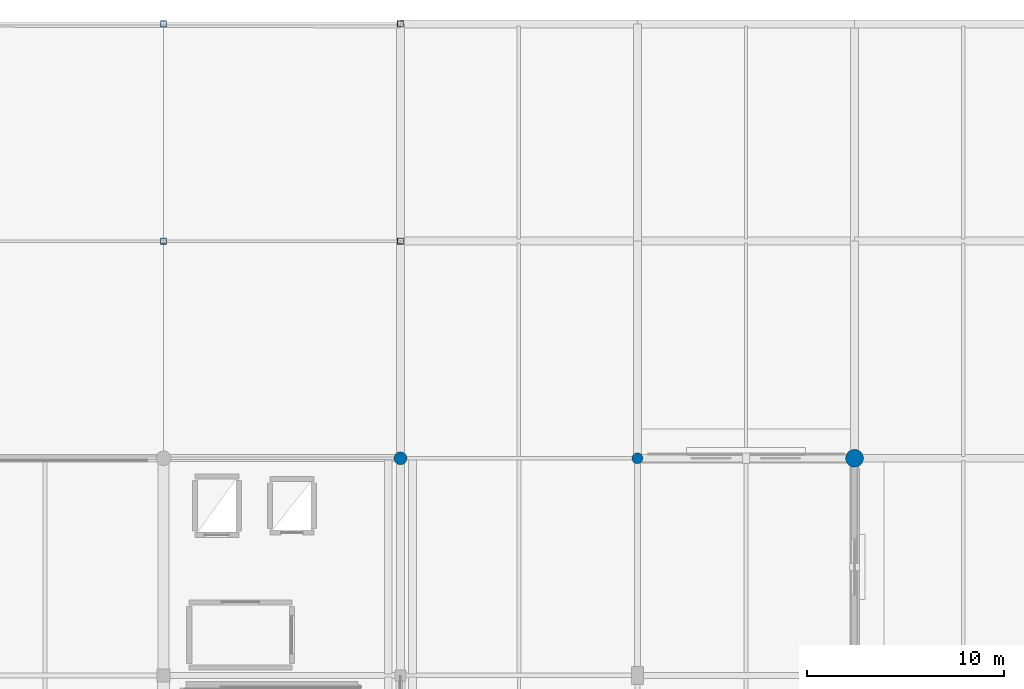
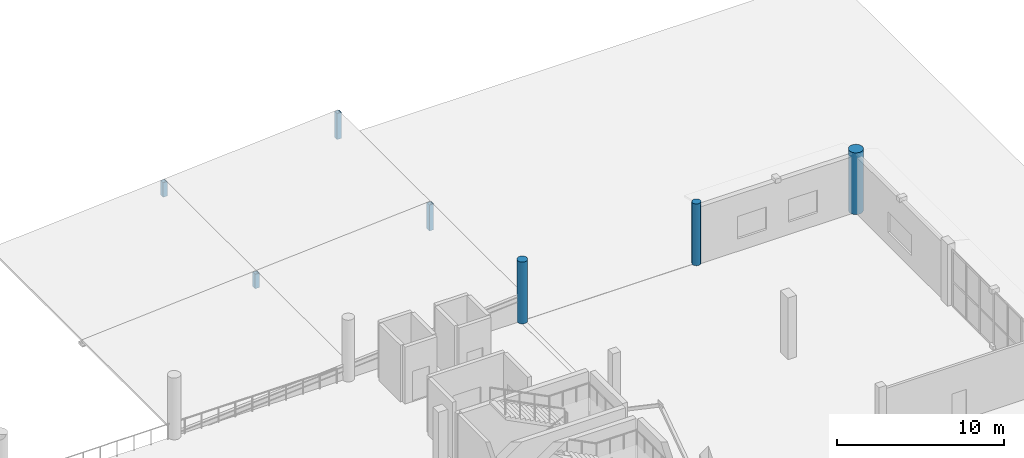
# One storey, part 21 of 118: 7 columns.
"""IFC4 building model written with IfcOpenShell, lengths in metres."""

from ifc_helpers import new_model, si_unit, direction, frame, origin, origin_2d, place, context, subcontext, project, spatial, hollow_rectangle, circle, extrude, material, material_profile, profile_set, type_object, element, save


model = new_model("IFC4")

# Units and contexts
model_context = context("Model", 3, precision=1e-05, world=origin(), true_north=direction((0.0, 1.0)))
body_context = subcontext(model_context, "Body", "Model", "MODEL_VIEW")
ifc_project = project(units=[si_unit("LENGTHUNIT", "METRE"), si_unit("AREAUNIT", "SQUARE_METRE"), si_unit("VOLUMEUNIT", "CUBIC_METRE"), si_unit("PLANEANGLEUNIT", "RADIAN"), si_unit("MASSUNIT", "GRAM", prefix="KILO")], contexts=[model_context])

# Site, building, storey
site_placement = place(None, origin())
site = spatial("IfcSite", under=ifc_project, at=site_placement, CompositionType="ELEMENT")
building_placement = place(site_placement, origin())
building = spatial("IfcBuilding", under=site, at=building_placement, Name="Luwafu Chhajja Arena", CompositionType="ELEMENT")
storey_placement = place(building_placement, frame((0.0, 0.0, 10.199951171875)))
storey = spatial("IfcBuildingStorey", under=building, at=storey_placement, Name="L02", CompositionType="ELEMENT", Elevation=10.199951171875)

# Columns
ifc_material_1 = material(Name="Concrete C35/45", Category="concrete")
ifc_material_profile_1 = material_profile(ifc_material_1, circle(Radius=0.324951171875, at=origin_2d()), Name="RC COL D650")
ifc_profile_set_1 = profile_set([ifc_material_profile_1], Name="Concrete C35/45")
column_type_1 = type_object("IfcColumnType", Name="Courtyard Arcade Pier D650", PredefinedType="COLUMN", material=ifc_profile_set_1)
column_1_placement = place(storey_placement, frame((164.0, 99.0, 0.0), z_axis=(0.0, 0.0, 1.0), x_axis=(1.0, 0.0, 0.0)))
element("IfcColumn", 1, at=column_1_placement, inside=storey, type_object=column_type_1, Name="L02 Grid Column 15/K", PredefinedType="COLUMN", context=body_context, shape_type="SweptSolid", body=[
    extrude(circle(Radius=0.324951171875, at=origin_2d()), origin(), (0.0, 0.0, 1.0), 4.5),
])
ifc_material_2 = material(Name="Concrete C40/50", Category="concrete")
ifc_material_profile_2 = material_profile(ifc_material_2, circle(Radius=0.449951171875, at=origin_2d()), Name="RC COL D900")
ifc_profile_set_2 = profile_set([ifc_material_profile_2], Name="Concrete C40/50")
column_type_2 = type_object("IfcColumnType", Name="Mughal Colonnade Drum Pier D900", PredefinedType="COLUMN", material=ifc_profile_set_2)
column_2_placement = place(storey_placement, frame((187.0, 99.0, 0.0), z_axis=(0.0, 0.0, 1.0), x_axis=(1.0, 0.0, 0.0)))
element("IfcColumn", 2, at=column_2_placement, inside=storey, type_object=column_type_2, Name="L02 Grid Column 17/K", PredefinedType="COLUMN", context=body_context, shape_type="SweptSolid", body=[
    extrude(circle(Radius=0.449951171875, at=origin_2d()), origin(), (0.0, 0.0, 1.0), 4.5),
])
ifc_material_3 = material(Name="Steel S355", Category="steel")
ifc_material_profile_3 = material_profile(ifc_material_3, hollow_rectangle(XDim=0.300048828125, YDim=0.300048828125, WallThickness=0.01611328125, at=origin_2d()), Name="SHS 300x300x16")
ifc_profile_set_3 = profile_set([ifc_material_profile_3], Name="Steel S355")
column_type_3 = type_object("IfcColumnType", Name="Steel Gallery Post SHS 300", PredefinedType="COLUMN", material=ifc_profile_set_3)
column_3_placement = place(storey_placement, frame((152.0, 110.0, 0.0), z_axis=(0.0, 0.0, 1.0), x_axis=(1.0, 0.0, 0.0)))
element("IfcColumn", 3, at=column_3_placement, inside=storey, type_object=column_type_3, Name="L02 Cloister Post 12/10B", PredefinedType="COLUMN", context=body_context, shape_type="SweptSolid", body=[
    extrude(hollow_rectangle(XDim=0.300048828125, YDim=0.300048828125, WallThickness=0.01611328125, at=origin_2d()), origin(), (0.0, 0.0, 1.0), 1.050048828125),
])
column_4_placement = place(storey_placement, frame((164.0, 110.0, 0.0), z_axis=(0.0, 0.0, 1.0), x_axis=(1.0, 0.0, 0.0)))
element("IfcColumn", 4, at=column_4_placement, inside=storey, type_object=column_type_3, Name="L02 Cloister Post 13/10B", PredefinedType="COLUMN", context=body_context, shape_type="SweptSolid", body=[
    extrude(hollow_rectangle(XDim=0.300048828125, YDim=0.300048828125, WallThickness=0.01611328125, at=origin_2d()), origin(), (0.0, 0.0, 1.0), 1.900146484375),
])
column_5_placement = place(storey_placement, frame((152.0, 121.0, 0.0), z_axis=(0.0, 0.0, 1.0), x_axis=(1.0, 0.0, 0.0)))
element("IfcColumn", 5, at=column_5_placement, inside=storey, type_object=column_type_3, Name="L02 Cloister Post 12/11B", PredefinedType="COLUMN", context=body_context, shape_type="SweptSolid", body=[
    extrude(hollow_rectangle(XDim=0.300048828125, YDim=0.300048828125, WallThickness=0.01611328125, at=origin_2d()), origin(), (0.0, 0.0, 1.0), 1.050048828125),
])
column_6_placement = place(storey_placement, frame((164.0, 121.0, 0.0), z_axis=(0.0, 0.0, 1.0), x_axis=(1.0, 0.0, 0.0)))
element("IfcColumn", 6, at=column_6_placement, inside=storey, type_object=column_type_3, Name="L02 Cloister Post 13/11B", PredefinedType="COLUMN", context=body_context, shape_type="SweptSolid", body=[
    extrude(hollow_rectangle(XDim=0.300048828125, YDim=0.300048828125, WallThickness=0.01611328125, at=origin_2d()), origin(), (0.0, 0.0, 1.0), 1.900146484375),
])
ifc_material_profile_4 = material_profile(ifc_material_1, circle(Radius=0.27490234375, at=origin_2d()), Name="RC COL D550")
ifc_profile_set_4 = profile_set([ifc_material_profile_4], Name="Concrete C35/45")
column_type_4 = type_object("IfcColumnType", Name="Terrace Loggia Pier D550", PredefinedType="COLUMN", material=ifc_profile_set_4)
column_7_placement = place(storey_placement, frame((176.0, 99.0, 0.0), z_axis=(0.0, 0.0, 1.0), x_axis=(1.0, 0.0, 0.0)))
element("IfcColumn", 7, at=column_7_placement, inside=storey, type_object=column_type_4, Name="L02 Grid Column 16/K", PredefinedType="COLUMN", context=body_context, shape_type="SweptSolid", body=[
    extrude(circle(Radius=0.27490234375, at=origin_2d()), origin(), (0.0, 0.0, 1.0), 4.5),
])

save(model, "model.ifc")
